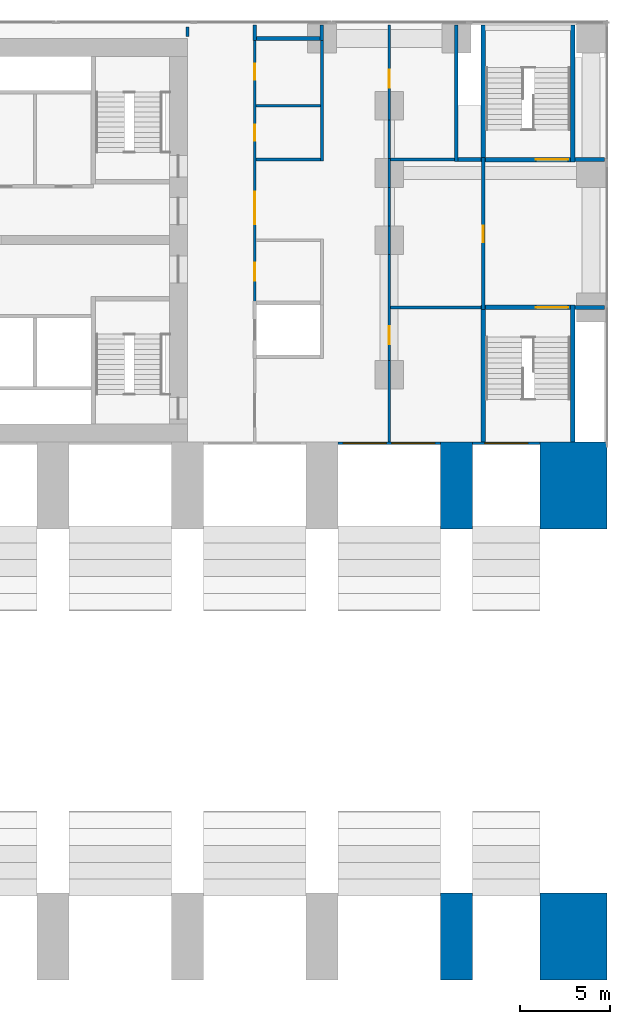
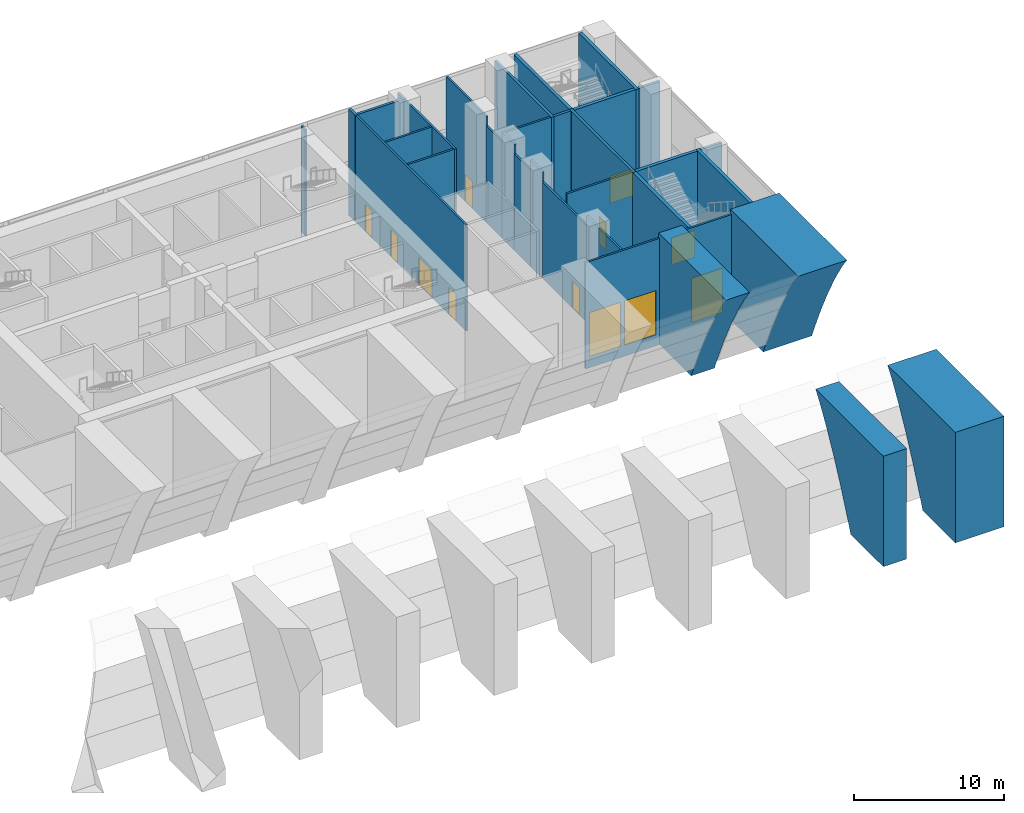
# One storey, part 8 of 14: 34 walls, 9 doors, 3 windows, 12 openings.
"""IFC4 building model written with IfcOpenShell, lengths in metres."""

from ifc_helpers import new_model, si_unit, direction, frame, frame_2d, origin, place, context, subcontext, project, spatial, polyline, rectangle, outline, extrude, material, layer, layer_set, type_object, element, fill, save


model = new_model("IFC4")

# Units and contexts
model_context = context("Model", 3, precision=1e-05, world=origin(), true_north=direction((0.0, 1.0)))
body_context = subcontext(model_context, "Body", "Model", "MODEL_VIEW")
ifc_project = project(units=[si_unit("LENGTHUNIT", "METRE"), si_unit("AREAUNIT", "SQUARE_METRE"), si_unit("VOLUMEUNIT", "CUBIC_METRE"), si_unit("PLANEANGLEUNIT", "RADIAN"), si_unit("MASSUNIT", "GRAM", prefix="KILO")], contexts=[model_context])

# Site, building, storey
site_placement = place(None, origin())
site = spatial("IfcSite", under=ifc_project, at=site_placement, CompositionType="ELEMENT")
building_placement = place(site_placement, origin())
building = spatial("IfcBuilding", under=site, at=building_placement, Name="Pilkhan Gate Tower", CompositionType="ELEMENT")
storey_placement = place(building_placement, frame((0.0, 0.0, 7.5)))
storey = spatial("IfcBuildingStorey", under=building, at=storey_placement, Name="L01", CompositionType="ELEMENT", Elevation=7.5)

# Walls
ifc_material_1 = material(Name="Concrete C70/85", Category="concrete")
ifc_layer_1 = layer(ifc_material_1, 1.800048828125)
ifc_layer_set_1 = layer_set([ifc_layer_1], Name="Arch wall AW1800 C70/85")
wall_type_1 = type_object("IfcWallType", Name="Arch wall AW1800 C70/85", PredefinedType="SHEAR", material=ifc_layer_set_1)
wall_1_placement = place(storey_placement, frame((105.89990234375, 50.279541015625, 9.0), z_axis=(1.0, 0.0, 0.0), x_axis=(0.0, -1.0, 0.0)))
element("IfcWall", 1, at=wall_1_placement, inside=storey, type_object=wall_type_1, Name="Arch wall +30.00 L01-1", PredefinedType="SHEAR", context=body_context, shape_type="SweptSolid", body=[
    extrude(outline(polyline([(0.0, 0.0), (9.029541015625, 0.0), (9.029541015625, 9.0), (4.678466796875, 9.0), (4.342041015625, 8.16015625), (3.404541015625, 6.023681640625), (2.467041015625, 4.090576171875), (1.529541015625, 2.361083984375), (0.592041015625, 0.8349609375), (0.0, 0.0)])), origin(), (0.0, 0.0, -1.0), 1.800048828125),
])
wall_2_placement = place(storey_placement, frame((105.89990234375, 66.5625, 0.83984375), z_axis=(1.0, 0.0, 0.0), x_axis=(0.0, 0.371855891589, -0.928290469568)))
element("IfcWall", 2, at=wall_2_placement, inside=storey, type_object=wall_type_1, Name="Arch wall +30.00 L01-2", PredefinedType="SHEAR", context=body_context, shape_type="SweptSolid", body=[
    extrude(outline(polyline([(0.0, 0.0), (0.9047208578913915, 0.0), (2.5226934408728128, 4.039060729648831), (-5.831920785239549, 7.385763753946168), (-9.189608810240552, -0.9962731154322428), (-8.194368589775456, -0.7571722268898822), (-6.429068211608948, -0.45439775793944737), (-4.47498219839601, -0.22724730209772814), (-2.33188391672122, -0.07581164449450639), (0.0, 0.0)])), origin(), (0.0, 0.0, -1.0), 1.800048828125),
])
ifc_layer_2 = layer(ifc_material_1, 3.75)
ifc_layer_set_2 = layer_set([ifc_layer_2], Name="Arch wall AW3750 C70/85")
wall_type_2 = type_object("IfcWallType", Name="Arch wall AW3750 C70/85", PredefinedType="SHEAR", material=ifc_layer_set_2)
wall_3_placement = place(storey_placement, frame((113.39990234375, 50.279541015625, 9.0), z_axis=(1.0, 0.0, 0.0), x_axis=(0.0, -1.0, 0.0)))
element("IfcWall", 3, at=wall_3_placement, inside=storey, type_object=wall_type_2, Name="Arch wall +37.50 L01-1", PredefinedType="SHEAR", context=body_context, shape_type="SweptSolid", body=[
    extrude(outline(polyline([(0.0, 0.0), (9.029541015625, 0.0), (9.029541015625, 9.0), (4.678466796875, 9.0), (4.342041015625, 8.16015625), (3.404541015625, 6.023681640625), (2.467041015625, 4.090576171875), (1.529541015625, 2.361083984375), (0.592041015625, 0.8349609375), (0.0, 0.0)])), origin(), (0.0, 0.0, -1.0), 3.75),
])
wall_4_placement = place(storey_placement, frame((113.39990234375, 66.5625, 0.83984375), z_axis=(1.0, 0.0, 0.0), x_axis=(0.0, 0.371855891589, -0.928290469568)))
element("IfcWall", 4, at=wall_4_placement, inside=storey, type_object=wall_type_2, Name="Arch wall +37.50 L01-2", PredefinedType="SHEAR", context=body_context, shape_type="SweptSolid", body=[
    extrude(outline(polyline([(0.0, 0.0), (0.9047208578913915, 0.0), (2.5226934408728128, 4.039060729648831), (-5.831920785239549, 7.385763753946168), (-9.189608810240552, -0.9962731154322428), (-8.194368589775456, -0.7571722268898822), (-6.429068211608948, -0.45439775793944737), (-4.47498219839601, -0.22724730209772814), (-2.33188391672122, -0.07581164449450639), (0.0, 0.0)])), origin(), (0.0, 0.0, -1.0), 3.75),
])

# Wall, openings, windows
ifc_material_2 = material(Name="Pale anodised aluminium, clear laminated glazing", Category="aluminium")
ifc_layer_3 = layer(ifc_material_2, 0.14990234375)
ifc_layer_set_3 = layer_set([ifc_layer_3], Name="Facade infill wall IW150")
wall_type_3 = type_object("IfcWallType", Name="Facade infill wall IW150", PredefinedType="SOLIDWALL", material=ifc_layer_set_3)
wall_5_placement = place(storey_placement, frame((98.39990234375, 71.175048828125, 0.0), z_axis=(0.0, 0.0, 1.0), x_axis=(1.0, 0.0, 0.0)))
wall_5 = element("IfcWall", 5, at=wall_5_placement, inside=storey, type_object=wall_type_3, Name="Shopfront wall L01", PredefinedType="SOLIDWALL", context=body_context, shape_type="SweptSolid", body=[
    extrude(rectangle(XDim=5.7001953125, YDim=0.14990234375, at=frame_2d((2.85009765625, 0.0))), origin(), (0.0, 0.0, 1.0), 8.64990234375),
])
opening_1_placement = place(wall_5_placement, frame((0.300048828125, 0.0, 0.89990234375)))
opening_1 = element("IfcOpeningElement", 6, at=opening_1_placement, cuts=wall_5, Name="Opening WS2", PredefinedType="OPENING", context=body_context, shape_type="SweptSolid", body=[
    extrude(rectangle(XDim=2.39990234375, YDim=3.60009765625, at=frame_2d((1.199951171875, 1.800048828125))), frame((0.0, 0.0849609375, 0.0), z_axis=(0.0, -1.0, 0.0), x_axis=(1.0, 0.0, 0.0)), (0.0, 0.0, 1.0), 0.169921875),
])
opening_2_placement = place(wall_5_placement, frame((3.0, 0.0, 0.89990234375)))
opening_2 = element("IfcOpeningElement", 7, at=opening_2_placement, cuts=wall_5, Name="Opening WS2", PredefinedType="OPENING", context=body_context, shape_type="SweptSolid", body=[
    extrude(rectangle(XDim=2.39990234375, YDim=3.60009765625, at=frame_2d((1.199951171875, 1.800048828125))), frame((0.0, 0.0849609375, 0.0), z_axis=(0.0, -1.0, 0.0), x_axis=(1.0, 0.0, 0.0)), (0.0, 0.0, 1.0), 0.169921875),
])
window_type = type_object("IfcWindowType", Name="Shopfront window WS2 2400x3600", PartitioningType="SINGLE_PANEL", PredefinedType="WINDOW", material=ifc_material_2)
window_1_placement = place(opening_1_placement, origin())
window_1 = element("IfcWindow", 8, at=window_1_placement, inside=storey, type_object=window_type, Name="Shopfront window L01", OverallHeight=3.60009765625, OverallWidth=2.39990234375, PartitioningType="SINGLE_PANEL", PredefinedType="WINDOW", context=body_context, shape_type="SweptSolid", body=[
    extrude(rectangle(XDim=2.39990234375, YDim=3.60009765625, at=frame_2d((1.199951171875, 1.800048828125))), frame((0.0, 0.030029296875, 0.0), z_axis=(0.0, -1.0, 0.0), x_axis=(1.0, 0.0, 0.0)), (0.0, 0.0, 1.0), 0.06005859375),
])
fill(opening_1, window_1)
window_2_placement = place(opening_2_placement, origin())
window_2 = element("IfcWindow", 9, at=window_2_placement, inside=storey, type_object=window_type, Name="Shopfront window L01", OverallHeight=3.60009765625, OverallWidth=2.39990234375, PartitioningType="SINGLE_PANEL", PredefinedType="WINDOW", context=body_context, shape_type="SweptSolid", body=[
    extrude(rectangle(XDim=2.39990234375, YDim=3.60009765625, at=frame_2d((1.199951171875, 1.800048828125))), frame((0.0, 0.030029296875, 0.0), z_axis=(0.0, -1.0, 0.0), x_axis=(1.0, 0.0, 0.0)), (0.0, 0.0, 1.0), 0.06005859375),
])
fill(opening_2, window_2)

# Wall, opening, window
wall_6_placement = place(storey_placement, frame((105.89990234375, 71.175048828125, 0.0), z_axis=(0.0, 0.0, 1.0), x_axis=(1.0, 0.0, 0.0)))
wall_6 = element("IfcWall", 10, at=wall_6_placement, inside=storey, type_object=wall_type_3, Name="Shopfront wall L01", PredefinedType="SOLIDWALL", context=body_context, shape_type="SweptSolid", body=[
    extrude(rectangle(XDim=3.75, YDim=0.14990234375, at=frame_2d((1.875, 0.0))), origin(), (0.0, 0.0, 1.0), 8.64990234375),
])
opening_3_placement = place(wall_6_placement, frame((0.675048828125, 0.0, 0.89990234375)))
opening_3 = element("IfcOpeningElement", 11, at=opening_3_placement, cuts=wall_6, Name="Opening WS2", PredefinedType="OPENING", context=body_context, shape_type="SweptSolid", body=[
    extrude(rectangle(XDim=2.39990234375, YDim=3.60009765625, at=frame_2d((1.199951171875, 1.800048828125))), frame((0.0, 0.0849609375, 0.0), z_axis=(0.0, -1.0, 0.0), x_axis=(1.0, 0.0, 0.0)), (0.0, 0.0, 1.0), 0.169921875),
])
window_3_placement = place(opening_3_placement, origin())
window_3 = element("IfcWindow", 12, at=window_3_placement, inside=storey, type_object=window_type, Name="Shopfront window L01", OverallHeight=3.60009765625, OverallWidth=2.39990234375, PartitioningType="SINGLE_PANEL", PredefinedType="WINDOW", context=body_context, shape_type="SweptSolid", body=[
    extrude(rectangle(XDim=2.39990234375, YDim=3.60009765625, at=frame_2d((1.199951171875, 1.800048828125))), frame((0.0, 0.030029296875, 0.0), z_axis=(0.0, -1.0, 0.0), x_axis=(1.0, 0.0, 0.0)), (0.0, 0.0, 1.0), 0.06005859375),
])
fill(opening_3, window_3)

# Walls
ifc_material_3 = material(Name="Dense blockwork", Category="masonry")
ifc_layer_4 = layer(ifc_material_3, 0.199951171875)
ifc_layer_set_4 = layer_set([ifc_layer_4], Name="Lobby wall LW200")
wall_type_4 = type_object("IfcWallType", Name="Lobby wall LW200", PredefinedType="PARTITIONING", material=ifc_layer_set_4)
wall_7_placement = place(storey_placement, frame((111.625, 78.75, 0.0), z_axis=(0.0, 0.0, 1.0), x_axis=(1.0, 0.0, 0.0)))
element("IfcWall", 13, at=wall_7_placement, inside=storey, type_object=wall_type_4, Name="Partition L01", PredefinedType="PARTITIONING", context=body_context, shape_type="SweptSolid", body=[
    extrude(rectangle(XDim=1.639892578125, YDim=0.199951171875, at=frame_2d((0.81982421875, 0.0))), origin(), (0.0, 0.0, 1.0), 8.64990234375),
])
wall_8_placement = place(storey_placement, frame((105.10009765625, 87.0, 0.0), z_axis=(0.0, 0.0, 1.0), x_axis=(1.0, 0.0, 0.0)))
element("IfcWall", 14, at=wall_8_placement, inside=storey, type_object=wall_type_4, Name="Partition L01", PredefinedType="PARTITIONING", context=body_context, shape_type="SweptSolid", body=[
    extrude(rectangle(XDim=1.27490234375, YDim=0.199951171875, at=frame_2d((0.637451171875, 0.0))), origin(), (0.0, 0.0, 1.0), 8.64990234375),
])
wall_9_placement = place(storey_placement, frame((111.625, 87.0, 0.0), z_axis=(0.0, 0.0, 1.0), x_axis=(1.0, 0.0, 0.0)))
element("IfcWall", 15, at=wall_9_placement, inside=storey, type_object=wall_type_4, Name="Partition L01", PredefinedType="PARTITIONING", context=body_context, shape_type="SweptSolid", body=[
    extrude(rectangle(XDim=1.639892578125, YDim=0.199951171875, at=frame_2d((0.81982421875, 0.0))), origin(), (0.0, 0.0, 1.0), 8.64990234375),
])
wall_10_placement = place(storey_placement, frame((93.85009765625, 93.75, 0.0), z_axis=(0.0, 0.0, 1.0), x_axis=(1.0, 0.0, 0.0)))
element("IfcWall", 16, at=wall_10_placement, inside=storey, type_object=wall_type_4, Name="Partition L01", PredefinedType="PARTITIONING", context=body_context, shape_type="SweptSolid", body=[
    extrude(rectangle(XDim=3.5498046875, YDim=0.199951171875, at=frame_2d((1.77490234375, 0.0))), origin(), (0.0, 0.0, 1.0), 8.64990234375),
])
for number, where, z_axis, x_axis, name in (
    (17, (93.75, 93.64990234375, 0.0), (0.0, 0.0, 1.0), (0.0, 1.0, 0.0), "Partition L01"),
    (18, (97.5, 93.64990234375, 0.0), (0.0, 0.0, 1.0), (0.0, 1.0, 0.0), "Partition L01"),
):
    element("IfcWall", number, at=place(storey_placement, frame(where, z_axis=z_axis, x_axis=x_axis)), inside=storey, type_object=wall_type_4, Name=name, PredefinedType="PARTITIONING", context=body_context, shape_type="SweptSolid", body=[
        extrude(rectangle(XDim=0.864990234375, YDim=0.199951171875, at=frame_2d((0.4326171875, 0.0))), origin(), (0.0, 0.0, 1.0), 8.64990234375),
    ])
wall_11_placement = place(storey_placement, frame((105.0, 86.89990234375, 0.0), z_axis=(0.0, 0.0, 1.0), x_axis=(0.0, 1.0, 0.0)))
element("IfcWall", 19, at=wall_11_placement, inside=storey, type_object=wall_type_4, Name="Partition L01", PredefinedType="PARTITIONING", context=body_context, shape_type="SweptSolid", body=[
    extrude(rectangle(XDim=7.614990234375, YDim=0.199951171875, at=frame_2d((3.8076171875, 0.0))), origin(), (0.0, 0.0, 1.0), 8.64990234375),
])

# Wall, opening, door
wall_12_placement = place(storey_placement, frame((106.5, 78.625, 0.0), z_axis=(0.0, 0.0, 1.0), x_axis=(0.0, 1.0, 0.0)))
wall_12 = element("IfcWall", 20, at=wall_12_placement, inside=storey, type_object=wall_type_4, Name="Partition L01", PredefinedType="PARTITIONING", context=body_context, shape_type="SweptSolid", body=[
    extrude(rectangle(XDim=8.5, YDim=0.199951171875, at=frame_2d((4.25, 0.0))), origin(), (0.0, 0.0, 1.0), 8.64990234375),
])
opening_4_placement = place(wall_12_placement, frame((3.77490234375, 0.0, 0.0)))
opening_4 = element("IfcOpeningElement", 21, at=opening_4_placement, cuts=wall_12, Name="Opening L01-27", PredefinedType="OPENING", context=body_context, shape_type="SweptSolid", body=[
    extrude(rectangle(XDim=0.89990234375, YDim=2.199951171875, at=frame_2d((0.449951171875, 1.10009765625))), frame((0.0, 0.10986328125, 0.0), z_axis=(0.0, -1.0, 0.0), x_axis=(1.0, 0.0, 0.0)), (0.0, 0.0, 1.0), 0.219970703125),
])
ifc_material_4 = material(Name="Timber flush door, 60 minute fire resisting, self-closing", Category="wood")
door_type_1 = type_object("IfcDoorType", Name="Store door D05 900x2200", OperationType="SINGLE_SWING_LEFT", PredefinedType="DOOR", material=ifc_material_4)
door_1_placement = place(opening_4_placement, origin())
door_1 = element("IfcDoor", 22, at=door_1_placement, inside=storey, type_object=door_type_1, Name="Store door", OperationType="SINGLE_SWING_LEFT", OverallHeight=2.199951171875, OverallWidth=0.89990234375, PredefinedType="DOOR", context=body_context, shape_type="SweptSolid", body=[
    extrude(rectangle(XDim=0.89990234375, YDim=2.199951171875, at=frame_2d((0.449951171875, 1.10009765625))), frame((0.0, 0.02490234375, 0.0), z_axis=(0.0, -1.0, 0.0), x_axis=(1.0, 0.0, 0.0)), (0.0, 0.0, 1.0), 0.050048828125),
])
fill(opening_4, door_1)

# Walls
ifc_material_5 = material(Name="Blockwork partition, plastered both sides", Category="masonry")
ifc_layer_5 = layer(ifc_material_5, 0.14990234375)
ifc_layer_set_5 = layer_set([ifc_layer_5], Name="Partition PW150")
wall_type_5 = type_object("IfcWallType", Name="Partition PW150", PredefinedType="PARTITIONING", material=ifc_layer_set_5)
wall_13_placement = place(storey_placement, frame((101.324951171875, 78.75, 0.0), z_axis=(0.0, 0.0, 1.0), x_axis=(1.0, 0.0, 0.0)))
element("IfcWall", 23, at=wall_13_placement, inside=storey, type_object=wall_type_5, Name="Partition L01", PredefinedType="PARTITIONING", context=body_context, shape_type="SweptSolid", body=[
    extrude(rectangle(XDim=5.050048828125, YDim=0.14990234375, at=frame_2d((2.52490234375, 0.0))), origin(), (0.0, 0.0, 1.0), 8.64990234375),
])
wall_14_placement = place(storey_placement, frame((93.824951171875, 87.0, 0.0), z_axis=(0.0, 0.0, 1.0), x_axis=(1.0, 0.0, 0.0)))
element("IfcWall", 24, at=wall_14_placement, inside=storey, type_object=wall_type_5, Name="Partition L01", PredefinedType="PARTITIONING", context=body_context, shape_type="SweptSolid", body=[
    extrude(rectangle(XDim=3.60009765625, YDim=0.14990234375, at=frame_2d((1.800048828125, 0.0))), origin(), (0.0, 0.0, 1.0), 8.64990234375),
])
wall_15_placement = place(storey_placement, frame((101.324951171875, 87.0, 0.0), z_axis=(0.0, 0.0, 1.0), x_axis=(1.0, 0.0, 0.0)))
element("IfcWall", 25, at=wall_15_placement, inside=storey, type_object=wall_type_5, Name="Partition L01", PredefinedType="PARTITIONING", context=body_context, shape_type="SweptSolid", body=[
    extrude(rectangle(XDim=3.574951171875, YDim=0.14990234375, at=frame_2d((1.78759765625, 0.0))), origin(), (0.0, 0.0, 1.0), 8.64990234375),
])
wall_16_placement = place(storey_placement, frame((93.824951171875, 90.0, 0.0), z_axis=(0.0, 0.0, 1.0), x_axis=(1.0, 0.0, 0.0)))
element("IfcWall", 26, at=wall_16_placement, inside=storey, type_object=wall_type_5, Name="Partition L01", PredefinedType="PARTITIONING", context=body_context, shape_type="SweptSolid", body=[
    extrude(rectangle(XDim=3.60009765625, YDim=0.14990234375, at=frame_2d((1.800048828125, 0.0))), origin(), (0.0, 0.0, 1.0), 8.64990234375),
])
wall_17_placement = place(storey_placement, frame((90.0, 93.8701171875, 0.0), z_axis=(0.0, 0.0, 1.0), x_axis=(0.0, 1.0, 0.0)))
element("IfcWall", 27, at=wall_17_placement, inside=storey, type_object=wall_type_5, Name="Partition L01", PredefinedType="PARTITIONING", context=body_context, shape_type="SweptSolid", body=[
    extrude(rectangle(XDim=0.52490234375, YDim=0.14990234375, at=frame_2d((0.262451171875, 0.0))), origin(), (0.0, 0.0, 1.0), 8.64990234375),
])

# Wall, openings, doors
wall_18_placement = place(storey_placement, frame((93.75, 78.89990234375, 0.0), z_axis=(0.0, 0.0, 1.0), x_axis=(0.0, 1.0, 0.0)))
wall_18 = element("IfcWall", 28, at=wall_18_placement, inside=storey, type_object=wall_type_5, Name="Partition L01", PredefinedType="PARTITIONING", context=body_context, shape_type="SweptSolid", body=[
    extrude(rectangle(XDim=14.85009765625, YDim=0.14990234375, at=frame_2d((7.425048828125, 0.0))), origin(), (0.0, 0.0, 1.0), 8.64990234375),
])
opening_5_placement = place(wall_18_placement, frame((4.5, 0.0, 0.0)))
opening_5 = element("IfcOpeningElement", 29, at=opening_5_placement, cuts=wall_18, Name="Opening L01-13", PredefinedType="OPENING", context=body_context, shape_type="SweptSolid", body=[
    extrude(rectangle(XDim=1.800048828125, YDim=2.199951171875, at=frame_2d((0.89990234375, 1.10009765625))), frame((0.0, 0.0849609375, 0.0), z_axis=(0.0, -1.0, 0.0), x_axis=(1.0, 0.0, 0.0)), (0.0, 0.0, 1.0), 0.169921875),
])
opening_6_placement = place(wall_18_placement, frame((9.14990234375, 0.0, 0.0)))
opening_6 = element("IfcOpeningElement", 30, at=opening_6_placement, cuts=wall_18, Name="Opening L01-28", PredefinedType="OPENING", context=body_context, shape_type="SweptSolid", body=[
    extrude(rectangle(XDim=0.89990234375, YDim=2.199951171875, at=frame_2d((0.449951171875, 1.10009765625))), frame((0.0, 0.0849609375, 0.0), z_axis=(0.0, -1.0, 0.0), x_axis=(1.0, 0.0, 0.0)), (0.0, 0.0, 1.0), 0.169921875),
])
opening_7_placement = place(wall_18_placement, frame((12.550048828125, 0.0, 0.0)))
opening_7 = element("IfcOpeningElement", 31, at=opening_7_placement, cuts=wall_18, Name="Opening L01-29", PredefinedType="OPENING", context=body_context, shape_type="SweptSolid", body=[
    extrude(rectangle(XDim=0.89990234375, YDim=2.199951171875, at=frame_2d((0.449951171875, 1.10009765625))), frame((0.0, 0.0849609375, 0.0), z_axis=(0.0, -1.0, 0.0), x_axis=(1.0, 0.0, 0.0)), (0.0, 0.0, 1.0), 0.169921875),
])
opening_8_placement = place(wall_18_placement, frame((1.35009765625, 0.0, 0.0)))
opening_8 = element("IfcOpeningElement", 32, at=opening_8_placement, cuts=wall_18, Name="Opening L01-30", PredefinedType="OPENING", context=body_context, shape_type="SweptSolid", body=[
    extrude(rectangle(XDim=1.0, YDim=2.199951171875, at=frame_2d((0.5, 1.10009765625))), frame((0.0, 0.0849609375, 0.0), z_axis=(0.0, -1.0, 0.0), x_axis=(1.0, 0.0, 0.0)), (0.0, 0.0, 1.0), 0.169921875),
])
ifc_material_6 = material(Name="Timber flush door, outward opening, 30 minute fire resisting", Category="wood")
door_type_2 = type_object("IfcDoorType", Name="Accessible toilet door D07 1000x2200", OperationType="SINGLE_SWING_LEFT", PredefinedType="DOOR", material=ifc_material_6)
door_2_placement = place(opening_8_placement, origin())
door_2 = element("IfcDoor", 33, at=door_2_placement, inside=storey, type_object=door_type_2, Name="Accessible toilet door", OperationType="SINGLE_SWING_RIGHT", OverallHeight=2.199951171875, OverallWidth=1.0, PredefinedType="DOOR", context=body_context, shape_type="SweptSolid", body=[
    extrude(rectangle(XDim=1.0, YDim=2.199951171875, at=frame_2d((0.5, 1.10009765625))), frame((0.0, 0.02490234375, 0.0), z_axis=(0.0, -1.0, 0.0), x_axis=(1.0, 0.0, 0.0)), (0.0, 0.0, 1.0), 0.050048828125),
])
fill(opening_8, door_2)
ifc_material_7 = material(Name="Timber glazed double door, 30 minute fire resisting", Category="wood")
door_type_3 = type_object("IfcDoorType", Name="Double door D04 1800x2200", OperationType="DOUBLE_DOOR_SINGLE_SWING", PredefinedType="DOOR", material=ifc_material_7)
door_3_placement = place(opening_5_placement, origin())
door_3 = element("IfcDoor", 34, at=door_3_placement, inside=storey, type_object=door_type_3, Name="Hall door", OperationType="DOUBLE_DOOR_SINGLE_SWING", OverallHeight=2.199951171875, OverallWidth=1.800048828125, PredefinedType="DOOR", context=body_context, shape_type="SweptSolid", body=[
    extrude(rectangle(XDim=1.800048828125, YDim=2.199951171875, at=frame_2d((0.89990234375, 1.10009765625))), frame((0.0, 0.02490234375, 0.0), z_axis=(0.0, -1.0, 0.0), x_axis=(1.0, 0.0, 0.0)), (0.0, 0.0, 1.0), 0.050048828125),
])
fill(opening_5, door_3)
ifc_material_8 = material(Name="Timber flush door, 30 minute fire resisting", Category="wood")
door_type_4 = type_object("IfcDoorType", Name="Toilet door D06 900x2200", OperationType="SINGLE_SWING_LEFT", PredefinedType="DOOR", material=ifc_material_8)
door_4_placement = place(opening_6_placement, origin())
door_4 = element("IfcDoor", 35, at=door_4_placement, inside=storey, type_object=door_type_4, Name="Toilet door", OperationType="SINGLE_SWING_LEFT", OverallHeight=2.199951171875, OverallWidth=0.89990234375, PredefinedType="DOOR", context=body_context, shape_type="SweptSolid", body=[
    extrude(rectangle(XDim=0.89990234375, YDim=2.199951171875, at=frame_2d((0.449951171875, 1.10009765625))), frame((0.0, 0.02490234375, 0.0), z_axis=(0.0, -1.0, 0.0), x_axis=(1.0, 0.0, 0.0)), (0.0, 0.0, 1.0), 0.050048828125),
])
fill(opening_6, door_4)
door_5_placement = place(opening_7_placement, origin())
door_5 = element("IfcDoor", 36, at=door_5_placement, inside=storey, type_object=door_type_4, Name="Toilet door", OperationType="SINGLE_SWING_RIGHT", OverallHeight=2.199951171875, OverallWidth=0.89990234375, PredefinedType="DOOR", context=body_context, shape_type="SweptSolid", body=[
    extrude(rectangle(XDim=0.89990234375, YDim=2.199951171875, at=frame_2d((0.449951171875, 1.10009765625))), frame((0.0, 0.02490234375, 0.0), z_axis=(0.0, -1.0, 0.0), x_axis=(1.0, 0.0, 0.0)), (0.0, 0.0, 1.0), 0.050048828125),
])
fill(opening_7, door_5)

# Walls
wall_19_placement = place(storey_placement, frame((97.5, 86.925048828125, 0.0), z_axis=(0.0, 0.0, 1.0), x_axis=(0.0, 1.0, 0.0)))
element("IfcWall", 37, at=wall_19_placement, inside=storey, type_object=wall_type_5, Name="Partition L01", PredefinedType="PARTITIONING", context=body_context, shape_type="SweptSolid", body=[
    extrude(rectangle(XDim=6.824951171875, YDim=0.14990234375, at=frame_2d((3.41259765625, 0.0))), origin(), (0.0, 0.0, 1.0), 8.64990234375),
])
wall_20_placement = place(storey_placement, frame((101.25, 71.25, 0.0), z_axis=(0.0, 0.0, 1.0), x_axis=(0.0, 1.0, 0.0)))
element("IfcWall", 38, at=wall_20_placement, inside=storey, type_object=wall_type_5, Name="Partition L01", PredefinedType="PARTITIONING", context=body_context, shape_type="SweptSolid", body=[
    extrude(rectangle(XDim=4.549072265625, YDim=0.14990234375, at=frame_2d((2.2744140625, 0.0))), origin(), (0.0, 0.0, 1.0), 8.64990234375),
])

# Wall, opening, door
wall_21_placement = place(storey_placement, frame((101.25, 75.799072265625, 0.0), z_axis=(0.0, 0.0, 1.0), x_axis=(0.0, 1.0, 0.0)))
wall_21 = element("IfcWall", 39, at=wall_21_placement, inside=storey, type_object=wall_type_5, Name="Partition L01", PredefinedType="PARTITIONING", context=body_context, shape_type="SweptSolid", body=[
    extrude(rectangle(XDim=5.90185546875, YDim=0.14990234375, at=frame_2d((2.950927734375, 0.0))), origin(), (0.0, 0.0, 1.0), 7.85009765625),
])
opening_9_placement = place(wall_21_placement, frame((0.90087890625, 0.0, 0.0)))
opening_9 = element("IfcOpeningElement", 40, at=opening_9_placement, cuts=wall_21, Name="Opening L01-15", PredefinedType="OPENING", context=body_context, shape_type="SweptSolid", body=[
    extrude(rectangle(XDim=1.0, YDim=2.199951171875, at=frame_2d((0.5, 1.10009765625))), frame((0.0, 0.0849609375, 0.0), z_axis=(0.0, -1.0, 0.0), x_axis=(1.0, 0.0, 0.0)), (0.0, 0.0, 1.0), 0.169921875),
])
door_type_5 = type_object("IfcDoorType", Name="Room door D03 1000x2200", OperationType="SINGLE_SWING_LEFT", PredefinedType="DOOR", material=ifc_material_8)
door_6_placement = place(opening_9_placement, origin())
door_6 = element("IfcDoor", 41, at=door_6_placement, inside=storey, type_object=door_type_5, Name="Services door", OperationType="SINGLE_SWING_LEFT", OverallHeight=2.199951171875, OverallWidth=1.0, PredefinedType="DOOR", context=body_context, shape_type="SweptSolid", body=[
    extrude(rectangle(XDim=1.0, YDim=2.199951171875, at=frame_2d((0.5, 1.10009765625))), frame((0.0, 0.02490234375, 0.0), z_axis=(0.0, -1.0, 0.0), x_axis=(1.0, 0.0, 0.0)), (0.0, 0.0, 1.0), 0.050048828125),
])
fill(opening_9, door_6)

# Walls
wall_22_placement = place(storey_placement, frame((101.25, 81.700927734375, 0.0), z_axis=(0.0, 0.0, 1.0), x_axis=(0.0, 1.0, 0.0)))
element("IfcWall", 42, at=wall_22_placement, inside=storey, type_object=wall_type_5, Name="Partition L01", PredefinedType="PARTITIONING", context=body_context, shape_type="SweptSolid", body=[
    extrude(rectangle(XDim=1.59814453125, YDim=0.14990234375, at=frame_2d((0.799072265625, 0.0))), origin(), (0.0, 0.0, 1.0), 8.64990234375),
])
wall_23_placement = place(storey_placement, frame((101.25, 83.299072265625, 0.0), z_axis=(0.0, 0.0, 1.0), x_axis=(0.0, 1.0, 0.0)))
element("IfcWall", 43, at=wall_23_placement, inside=storey, type_object=wall_type_5, Name="Partition L01", PredefinedType="PARTITIONING", context=body_context, shape_type="SweptSolid", body=[
    extrude(rectangle(XDim=2.15185546875, YDim=0.14990234375, at=frame_2d((1.075927734375, 0.0))), origin(), (0.0, 0.0, 1.0), 7.85009765625),
])
wall_24_placement = place(storey_placement, frame((101.25, 85.450927734375, 0.0), z_axis=(0.0, 0.0, 1.0), x_axis=(0.0, 1.0, 0.0)))
element("IfcWall", 44, at=wall_24_placement, inside=storey, type_object=wall_type_5, Name="Partition L01", PredefinedType="PARTITIONING", context=body_context, shape_type="SweptSolid", body=[
    extrude(rectangle(XDim=1.59814453125, YDim=0.14990234375, at=frame_2d((0.799072265625, 0.0))), origin(), (0.0, 0.0, 1.0), 8.64990234375),
])
wall_25_placement = place(storey_placement, frame((101.25, 87.049072265625, 0.0), z_axis=(0.0, 0.0, 1.0), x_axis=(0.0, 1.0, 0.0)))
element("IfcWall", 45, at=wall_25_placement, inside=storey, type_object=wall_type_5, Name="Partition L01", PredefinedType="PARTITIONING", context=body_context, shape_type="SweptSolid", body=[
    extrude(rectangle(XDim=2.15185546875, YDim=0.14990234375, at=frame_2d((1.075927734375, 0.0))), origin(), (0.0, 0.0, 1.0), 7.85009765625),
])

# Wall, opening, door
wall_26_placement = place(storey_placement, frame((101.25, 89.200927734375, 0.0), z_axis=(0.0, 0.0, 1.0), x_axis=(0.0, 1.0, 0.0)))
wall_26 = element("IfcWall", 46, at=wall_26_placement, inside=storey, type_object=wall_type_5, Name="Partition L01", PredefinedType="PARTITIONING", context=body_context, shape_type="SweptSolid", body=[
    extrude(rectangle(XDim=5.31396484375, YDim=0.14990234375, at=frame_2d((2.656982421875, 0.0))), origin(), (0.0, 0.0, 1.0), 8.64990234375),
])
opening_10_placement = place(wall_26_placement, frame((1.799072265625, 0.0, 0.0)))
opening_10 = element("IfcOpeningElement", 47, at=opening_10_placement, cuts=wall_26, Name="Opening L01-16", PredefinedType="OPENING", context=body_context, shape_type="SweptSolid", body=[
    extrude(rectangle(XDim=1.0, YDim=2.199951171875, at=frame_2d((0.5, 1.10009765625))), frame((0.0, 0.0849609375, 0.0), z_axis=(0.0, -1.0, 0.0), x_axis=(1.0, 0.0, 0.0)), (0.0, 0.0, 1.0), 0.169921875),
])
door_7_placement = place(opening_10_placement, origin())
door_7 = element("IfcDoor", 48, at=door_7_placement, inside=storey, type_object=door_type_5, Name="Office door", OperationType="SINGLE_SWING_RIGHT", OverallHeight=2.199951171875, OverallWidth=1.0, PredefinedType="DOOR", context=body_context, shape_type="SweptSolid", body=[
    extrude(rectangle(XDim=1.0, YDim=2.199951171875, at=frame_2d((0.5, 1.10009765625))), frame((0.0, 0.02490234375, 0.0), z_axis=(0.0, -1.0, 0.0), x_axis=(1.0, 0.0, 0.0)), (0.0, 0.0, 1.0), 0.050048828125),
])
fill(opening_10, door_7)

ifc_material_9 = material(Name="Reinforced blockwork, 120 minute fire resisting", Category="masonry")
ifc_layer_6 = layer(ifc_material_9, 0.25)
ifc_layer_set_6 = layer_set([ifc_layer_6], Name="Stair enclosure wall SE250")
wall_type_6 = type_object("IfcWallType", Name="Stair enclosure wall SE250", PredefinedType="PARTITIONING", material=ifc_layer_set_6)
wall_27_placement = place(storey_placement, frame((106.625, 78.75, 0.0), z_axis=(0.0, 0.0, 1.0), x_axis=(1.0, 0.0, 0.0)))
wall_27 = element("IfcWall", 49, at=wall_27_placement, inside=storey, type_object=wall_type_6, Name="Partition L01", PredefinedType="PARTITIONING", context=body_context, shape_type="SweptSolid", body=[
    extrude(rectangle(XDim=4.75, YDim=0.25, at=frame_2d((2.375, 0.0))), origin(), (0.0, 0.0, 1.0), 8.64990234375),
])
opening_11_placement = place(wall_27_placement, frame((2.800048828125, 0.0, 0.0)))
opening_11 = element("IfcOpeningElement", 50, at=opening_11_placement, cuts=wall_27, Name="Opening L01-09", PredefinedType="OPENING", context=body_context, shape_type="SweptSolid", body=[
    extrude(rectangle(XDim=1.800048828125, YDim=2.199951171875, at=frame_2d((0.89990234375, 1.10009765625))), frame((0.0, 0.135009765625, 0.0), z_axis=(0.0, -1.0, 0.0), x_axis=(1.0, 0.0, 0.0)), (0.0, 0.0, 1.0), 0.27001953125),
])
ifc_material_10 = material(Name="Steel double door, 120 minute fire resisting, panic bar", Category="steel")
door_type_6 = type_object("IfcDoorType", Name="Stair door D14 1800x2200", OperationType="DOUBLE_DOOR_SINGLE_SWING", PredefinedType="DOOR", material=ifc_material_10)
door_8_placement = place(opening_11_placement, origin())
door_8 = element("IfcDoor", 51, at=door_8_placement, inside=storey, type_object=door_type_6, Name="Stair PS4 door", OperationType="DOUBLE_DOOR_SINGLE_SWING", OverallHeight=2.199951171875, OverallWidth=1.800048828125, PredefinedType="DOOR", context=body_context, shape_type="SweptSolid", body=[
    extrude(rectangle(XDim=1.800048828125, YDim=2.199951171875, at=frame_2d((0.89990234375, 1.10009765625))), frame((0.0, 0.02490234375, 0.0), z_axis=(0.0, -1.0, 0.0), x_axis=(1.0, 0.0, 0.0)), (0.0, 0.0, 1.0), 0.050048828125),
])
fill(opening_11, door_8)

wall_28_placement = place(storey_placement, frame((106.625, 87.0, 0.0), z_axis=(0.0, 0.0, 1.0), x_axis=(1.0, 0.0, 0.0)))
wall_28 = element("IfcWall", 52, at=wall_28_placement, inside=storey, type_object=wall_type_6, Name="Partition L01", PredefinedType="PARTITIONING", context=body_context, shape_type="SweptSolid", body=[
    extrude(rectangle(XDim=4.75, YDim=0.25, at=frame_2d((2.375, 0.0))), origin(), (0.0, 0.0, 1.0), 8.64990234375),
])
opening_12_placement = place(wall_28_placement, frame((2.800048828125, 0.0, 0.0)))
opening_12 = element("IfcOpeningElement", 53, at=opening_12_placement, cuts=wall_28, Name="Opening L01-07", PredefinedType="OPENING", context=body_context, shape_type="SweptSolid", body=[
    extrude(rectangle(XDim=1.800048828125, YDim=2.199951171875, at=frame_2d((0.89990234375, 1.10009765625))), frame((0.0, 0.135009765625, 0.0), z_axis=(0.0, -1.0, 0.0), x_axis=(1.0, 0.0, 0.0)), (0.0, 0.0, 1.0), 0.27001953125),
])
door_9_placement = place(opening_12_placement, origin())
door_9 = element("IfcDoor", 54, at=door_9_placement, inside=storey, type_object=door_type_6, Name="Stair PS2 door", OperationType="DOUBLE_DOOR_SINGLE_SWING", OverallHeight=2.199951171875, OverallWidth=1.800048828125, PredefinedType="DOOR", context=body_context, shape_type="SweptSolid", body=[
    extrude(rectangle(XDim=1.800048828125, YDim=2.199951171875, at=frame_2d((0.89990234375, 1.10009765625))), frame((0.0, 0.02490234375, 0.0), z_axis=(0.0, -1.0, 0.0), x_axis=(1.0, 0.0, 0.0)), (0.0, 0.0, 1.0), 0.050048828125),
])
fill(opening_12, door_9)

# Walls
for number, where, z_axis, x_axis, name in (
    (55, (106.5, 71.25, 0.0), (0.0, 0.0, 1.0), (0.0, 1.0, 0.0), "Partition L01"),
    (56, (106.5, 86.875, 0.0), (0.0, 0.0, 1.0), (0.0, 1.0, 0.0), "Partition L01"),
    (57, (111.5, 71.25, 0.0), (0.0, 0.0, 1.0), (0.0, 1.0, 0.0), "Partition L01"),
    (58, (111.5, 86.875, 0.0), (0.0, 0.0, 1.0), (0.0, 1.0, 0.0), "Partition L01"),
):
    element("IfcWall", number, at=place(storey_placement, frame(where, z_axis=z_axis, x_axis=x_axis)), inside=storey, type_object=wall_type_6, Name=name, PredefinedType="PARTITIONING", context=body_context, shape_type="SweptSolid", body=[
        extrude(rectangle(XDim=7.625, YDim=0.25, at=frame_2d((3.8125, 0.0))), origin(), (0.0, 0.0, 1.0), 8.64990234375),
    ])

save(model, "model.ifc")
